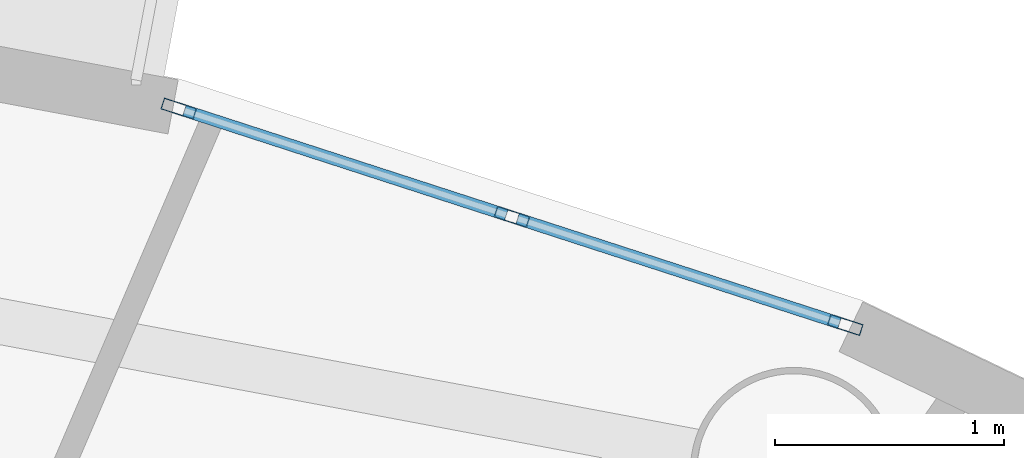
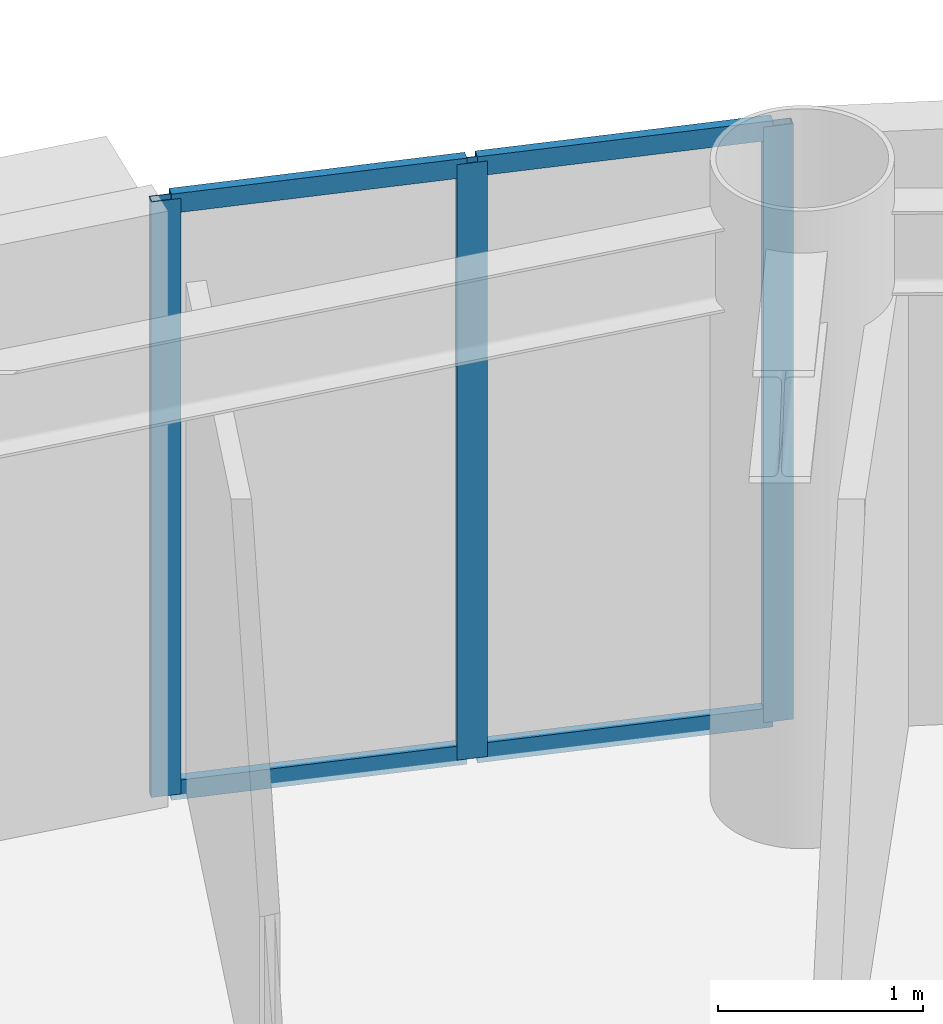
# One storey, part 3 of 17: 7 members, 1 element without a shape of its own.
"""IFC4 building model written with IfcOpenShell, lengths in metres."""

from ifc_helpers import new_model, si_unit, direction, frame, origin, origin_2d, place, context, subcontext, project, spatial, hollow_rectangle, extrude, source, transform, mapped, material, layer, layer_set, material_profile, profile_set, type_object, element, aggregate, save


model = new_model("IFC4")

# Units and contexts
model_context = context("Model", 3, precision=1e-05, world=origin(), true_north=direction((0.0, 1.0)))
body_context = subcontext(model_context, "Body", "Model", "MODEL_VIEW")
ifc_project = project(units=[si_unit("LENGTHUNIT", "METRE"), si_unit("AREAUNIT", "SQUARE_METRE"), si_unit("VOLUMEUNIT", "CUBIC_METRE"), si_unit("PLANEANGLEUNIT", "RADIAN"), si_unit("MASSUNIT", "GRAM", prefix="KILO")], contexts=[model_context])

# Site, building, storey
site_placement = place(None, origin())
site = spatial("IfcSite", under=ifc_project, at=site_placement, CompositionType="ELEMENT")
building_placement = place(site_placement, origin())
building = spatial("IfcBuilding", under=site, at=building_placement, Name="Linh Dai School and Residence Tower", CompositionType="ELEMENT")
storey_placement = place(building_placement, frame((0.0, 0.0, 335.39990234375)))
storey = spatial("IfcBuildingStorey", under=building, at=storey_placement, Name="L83", CompositionType="ELEMENT", Elevation=335.39990234375)

# Curtain wall, members
ifc_material_1 = material(Name="Aluminium Anodised Curtain Wall", Category="aluminium")
ifc_layer = layer(ifc_material_1, 0.14990234375)
ifc_layer_set = layer_set([ifc_layer], Name="Aluminium Anodised Curtain Wall")
curtain_wall_type = type_object("IfcCurtainWallType", Name="CW-SYS-4", PredefinedType="USERDEFINED", material=ifc_layer_set)
curtain_wall_placement = place(storey_placement, origin())
curtain_wall = element("IfcCurtainWall", 1, at=curtain_wall_placement, inside=storey, type_object=curtain_wall_type, Name="L83 CW4 Curtain Wall 08", ObjectType="RIBBON CURTAIN WALL", PredefinedType="USERDEFINED")
ifc_material_2 = material(Name="Aluminium Alloy 6063-T6", Category="aluminium")
ifc_material_profile_1 = material_profile(ifc_material_2, hollow_rectangle(XDim=0.052001953125, YDim=0.14990234375, WallThickness=0.00390625, at=origin_2d()), Name="RHS 150x52x4")
ifc_profile_set_1 = profile_set([ifc_material_profile_1], Name="Aluminium Alloy 6063-T6")
member_type_1 = type_object("IfcMemberType", Name="CW-SYS-4-MUL", PredefinedType="MULLION", material=ifc_profile_set_1)
shared_shape_1 = source(origin(), body_context, "Body", "SweptSolid", [
    extrude(hollow_rectangle(XDim=0.052001953125, YDim=0.14990234375, WallThickness=0.00390625, at=origin_2d()), origin(), (0.0, 0.0, 1.0), 3.550048828125),
])
member_1_placement = place(storey_placement, frame((42.328857421875, 42.14013671875, 0.0), z_axis=(0.0, 0.0, 1.0), x_axis=(0.30856528097, 0.951203168298, 0.0)))
member_1 = element("IfcMember", 2, at=member_1_placement, type_object=member_type_1, Name="CW4 mullion 1", PredefinedType="MULLION", context=body_context, shape_type="MappedRepresentation", body=[
    mapped(shared_shape_1, transform((0.0, 0.0, 0.0), x_axis=(1.0, 0.0, 0.0), y_axis=(0.0, 1.0, 0.0), z_axis=(0.0, 0.0, 1.0), scale=1.0)),
])
member_2_placement = place(storey_placement, frame((43.7822265625, 41.66845703125, 0.0), z_axis=(0.0, 0.0, 1.0), x_axis=(0.30856528097, 0.951203168298, 0.0)))
member_2 = element("IfcMember", 3, at=member_2_placement, type_object=member_type_1, Name="CW4 mullion 2", PredefinedType="MULLION", context=body_context, shape_type="MappedRepresentation", body=[
    mapped(shared_shape_1, transform((0.0, 0.0, 0.0), x_axis=(1.0, 0.0, 0.0), y_axis=(0.0, 1.0, 0.0), z_axis=(0.0, 0.0, 1.0), scale=1.0)),
])
member_3_placement = place(storey_placement, frame((45.23583984375, 41.197021484375, 0.0), z_axis=(0.0, 0.0, 1.0), x_axis=(0.30856528097, 0.951203168298, 0.0)))
member_3 = element("IfcMember", 4, at=member_3_placement, type_object=member_type_1, Name="CW4 mullion 3", PredefinedType="MULLION", context=body_context, shape_type="MappedRepresentation", body=[
    mapped(shared_shape_1, transform((0.0, 0.0, 0.0), x_axis=(1.0, 0.0, 0.0), y_axis=(0.0, 1.0, 0.0), z_axis=(0.0, 0.0, 1.0), scale=1.0)),
])
ifc_material_profile_2 = material_profile(ifc_material_2, hollow_rectangle(XDim=0.052001953125, YDim=0.114990234375, WallThickness=0.00390625, at=origin_2d()), Name="RHS 115x52x4")
ifc_profile_set_2 = profile_set([ifc_material_profile_2], Name="Aluminium Alloy 6063-T6")
member_type_2 = type_object("IfcMemberType", Name="CW-SYS-4-TRN", PredefinedType="USERDEFINED", material=ifc_profile_set_2)
shared_shape_2 = source(origin(), body_context, "Body", "SweptSolid", [
    extrude(hollow_rectangle(XDim=0.052001953125, YDim=0.114990234375, WallThickness=0.00390625, at=origin_2d()), origin(), (0.0, 0.0, 1.0), 1.47607421875),
])
member_4_placement = place(storey_placement, frame((42.353515625, 42.132080078125, 0.026123046875), z_axis=(0.951183457607, -0.308626035802, 0.0), x_axis=(0.308626035802, 0.951183457607, 0.0)))
member_4 = element("IfcMember", 5, at=member_4_placement, type_object=member_type_2, Name="CW4 transom 1.1", ObjectType="TRANSOM", PredefinedType="USERDEFINED", context=body_context, shape_type="MappedRepresentation", body=[
    mapped(shared_shape_2, transform((0.0, 0.0, 0.0), x_axis=(1.0, 0.0, 0.0), y_axis=(0.0, 1.0, 0.0), z_axis=(0.0, 0.0, 1.0), scale=1.0)),
])
member_5_placement = place(storey_placement, frame((42.353515625, 42.132080078125, 3.524169921875), z_axis=(0.951183457607, -0.308626035802, 0.0), x_axis=(0.308626035802, 0.951183457607, 0.0)))
member_5 = element("IfcMember", 6, at=member_5_placement, type_object=member_type_2, Name="CW4 transom 1.2", ObjectType="TRANSOM", PredefinedType="USERDEFINED", context=body_context, shape_type="MappedRepresentation", body=[
    mapped(shared_shape_2, transform((0.0, 0.0, 0.0), x_axis=(1.0, 0.0, 0.0), y_axis=(0.0, 1.0, 0.0), z_axis=(0.0, 0.0, 1.0), scale=1.0)),
])
member_6_placement = place(storey_placement, frame((43.806884765625, 41.660400390625, 0.026123046875), z_axis=(0.951232001503, -0.308476383725, 0.0), x_axis=(0.308476383725, 0.951232001503, 0.0)))
member_6 = element("IfcMember", 7, at=member_6_placement, type_object=member_type_2, Name="CW4 transom 2.1", ObjectType="TRANSOM", PredefinedType="USERDEFINED", context=body_context, shape_type="MappedRepresentation", body=[
    mapped(shared_shape_2, transform((0.0, 0.0, 0.0), x_axis=(1.0, 0.0, 0.0), y_axis=(0.0, 1.0, 0.0), z_axis=(0.0, 0.0, 1.0), scale=1.0)),
])
member_7_placement = place(storey_placement, frame((43.806884765625, 41.660400390625, 3.524169921875), z_axis=(0.951232001503, -0.308476383725, 0.0), x_axis=(0.308476383725, 0.951232001503, 0.0)))
member_7 = element("IfcMember", 8, at=member_7_placement, type_object=member_type_2, Name="CW4 transom 2.2", ObjectType="TRANSOM", PredefinedType="USERDEFINED", context=body_context, shape_type="MappedRepresentation", body=[
    mapped(shared_shape_2, transform((0.0, 0.0, 0.0), x_axis=(1.0, 0.0, 0.0), y_axis=(0.0, 1.0, 0.0), z_axis=(0.0, 0.0, 1.0), scale=1.0)),
])
aggregate(curtain_wall, [member_1, member_2, member_3, member_4, member_5, member_6, member_7])

save(model, "model.ifc")
